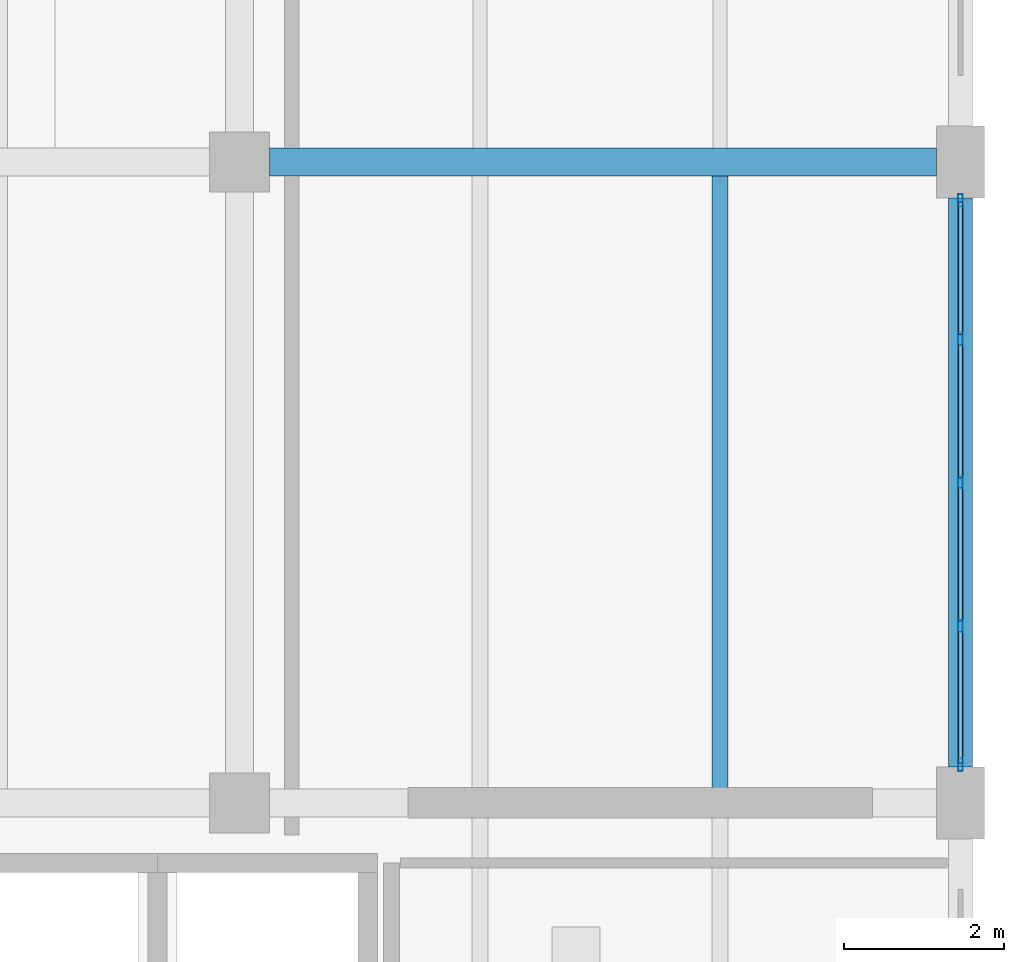
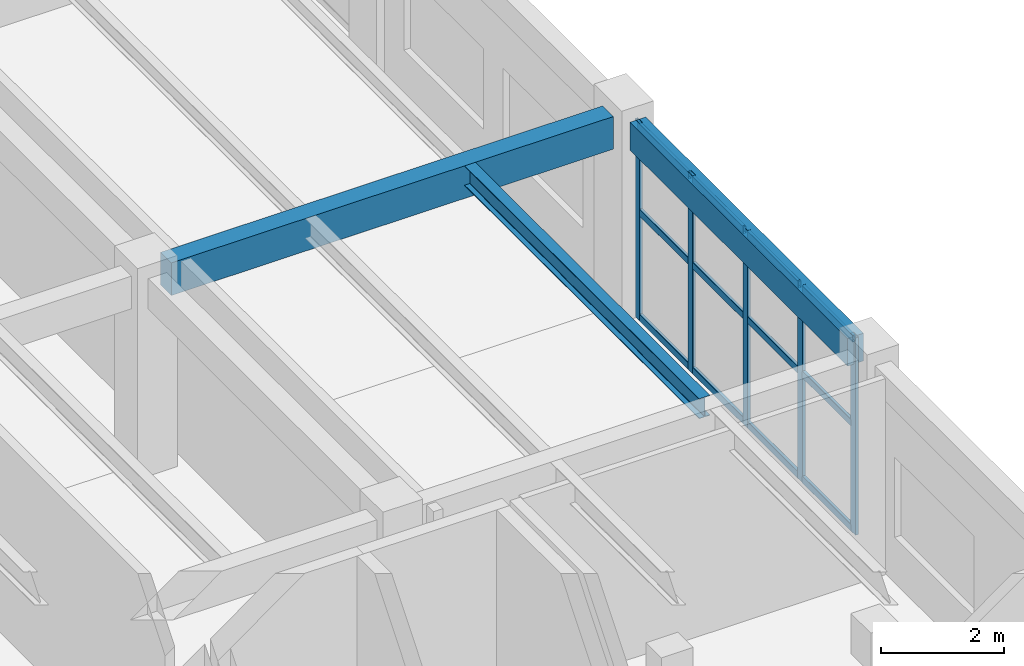
# One storey, part 89 of 128: 17 members, 3 beams, 1 element without a shape of its own.
"""IFC4 building model written with IfcOpenShell, lengths in metres."""

from ifc_helpers import new_model, si_unit, derived_unit, direction, frame, origin, origin_2d, place, context, subcontext, project, spatial, rectangle, hollow_rectangle, i_section, extrude, material, material_profile, profile_set, type_object, element, aggregate, save


model = new_model("IFC4")

# Units and contexts
model_context = context("Model", 3, precision=1e-05, world=origin(), true_north=direction((0.0, 1.0)))
body_context = subcontext(model_context, "Body", "Model", "MODEL_VIEW")
ifc_project = project(units=[si_unit("LENGTHUNIT", "METRE"), si_unit("AREAUNIT", "SQUARE_METRE"), si_unit("VOLUMEUNIT", "CUBIC_METRE"), si_unit("PLANEANGLEUNIT", "RADIAN"), si_unit("MASSUNIT", "GRAM", prefix="KILO"), derived_unit("THERMALTRANSMITTANCEUNIT", [(si_unit("MASSUNIT", "GRAM", prefix="KILO"), 1), (si_unit("TIMEUNIT", "SECOND"), -3), (si_unit("THERMODYNAMICTEMPERATUREUNIT", "KELVIN"), -1)])], contexts=[model_context])

# Site, building, storey
site_placement = place(None, origin())
site = spatial("IfcSite", under=ifc_project, at=site_placement, CompositionType="ELEMENT")
building_placement = place(site_placement, origin())
building = spatial("IfcBuilding", under=site, at=building_placement, Name="Zhenchuan Archway Interchange", CompositionType="ELEMENT")
storey_placement = place(building_placement, frame((0.0, 0.0, 14.39990234375)))
storey = spatial("IfcBuildingStorey", under=building, at=storey_placement, Name="L03", CompositionType="ELEMENT", Elevation=14.39990234375)

# Beam
ifc_material_1 = material(Name="Concrete C40", Category="concrete")
ifc_material_profile_1 = material_profile(ifc_material_1, rectangle(XDim=0.35009765625, YDim=0.64990234375, at=origin_2d()), Name="RC 350x650")
ifc_profile_set_1 = profile_set([ifc_material_profile_1], Name="Concrete C40")
beam_type_1 = type_object("IfcBeamType", Name="BM_RC_350x650", PredefinedType="BEAM", material=ifc_profile_set_1)
beam_1_placement = place(storey_placement, frame((162.375, 72.0, 3.60498046875), z_axis=(1.0, 0.0, 0.0), x_axis=(0.0, 1.0, 0.0)))
element("IfcBeam", 1, at=beam_1_placement, inside=storey, type_object=beam_type_1, Name="Beam K:19-20 (L03)", PredefinedType="BEAM", context=body_context, shape_type="SweptSolid", body=[
    extrude(rectangle(XDim=0.35009765625, YDim=0.64990234375, at=origin_2d()), origin(), (0.0, 0.0, 1.0), 8.324951171875),
])

# Curtain wall, members
ifc_material_2 = material(Name="Anodised Aluminium", Category="aluminium")
curtain_wall_type = type_object("IfcCurtainWallType", Name="CW_UNIT_1", PredefinedType="NOTDEFINED", material=ifc_material_2)
curtain_wall_placement = place(storey_placement, origin())
curtain_wall = element("IfcCurtainWall", 2, at=curtain_wall_placement, inside=storey, type_object=curtain_wall_type, Name="Unitised curtain wall CW:L03:180", PredefinedType="NOTDEFINED")
ifc_material_profile_2 = material_profile(ifc_material_2, hollow_rectangle(XDim=0.06005859375, YDim=0.159912109375, WallThickness=0.00390625, InnerFilletRadius=0.00390625, OuterFilletRadius=0.008056640625, at=origin_2d()), Name="ALU 160x60x4")
ifc_profile_set_2 = profile_set([ifc_material_profile_2], Name="Anodised Aluminium")
member_type_1 = type_object("IfcMemberType", Name="CW_MUL_150", PredefinedType="MULLION", material=ifc_profile_set_2)
member_1_placement = place(storey_placement, frame((171.0, 71.52197265625, 0.0), z_axis=(0.0, 0.0, 1.0), x_axis=(1.0, 0.0, 0.0)))
member_1 = element("IfcMember", 3, at=member_1_placement, type_object=member_type_1, Name="CW:L03:180 mullion 0", PredefinedType="MULLION", context=body_context, shape_type="SweptSolid", body=[
    extrude(hollow_rectangle(XDim=0.06005859375, YDim=0.159912109375, WallThickness=0.00390625, InnerFilletRadius=0.00390625, OuterFilletRadius=0.008056640625, at=origin_2d()), origin(), (0.0, 0.0, 1.0), 3.93017578125),
])
member_2_placement = place(storey_placement, frame((171.0, 69.791015625, 0.0), z_axis=(0.0, 0.0, 1.0), x_axis=(1.0, 0.0, 0.0)))
member_2 = element("IfcMember", 4, at=member_2_placement, type_object=member_type_1, Name="CW:L03:180 mullion 1", PredefinedType="MULLION", context=body_context, shape_type="SweptSolid", body=[
    extrude(hollow_rectangle(XDim=0.06005859375, YDim=0.159912109375, WallThickness=0.00390625, InnerFilletRadius=0.00390625, OuterFilletRadius=0.008056640625, at=origin_2d()), origin(), (0.0, 0.0, 1.0), 3.93017578125),
])
member_3_placement = place(storey_placement, frame((171.0, 68.0, 0.0), z_axis=(0.0, 0.0, 1.0), x_axis=(1.0, 0.0, 0.0)))
member_3 = element("IfcMember", 5, at=member_3_placement, type_object=member_type_1, Name="CW:L03:180 mullion 2", PredefinedType="MULLION", context=body_context, shape_type="SweptSolid", body=[
    extrude(hollow_rectangle(XDim=0.06005859375, YDim=0.159912109375, WallThickness=0.00390625, InnerFilletRadius=0.00390625, OuterFilletRadius=0.008056640625, at=origin_2d()), origin(), (0.0, 0.0, 1.0), 3.93017578125),
])
member_4_placement = place(storey_placement, frame((171.0, 66.208984375, 0.0), z_axis=(0.0, 0.0, 1.0), x_axis=(1.0, 0.0, 0.0)))
member_4 = element("IfcMember", 6, at=member_4_placement, type_object=member_type_1, Name="CW:L03:180 mullion 3", PredefinedType="MULLION", context=body_context, shape_type="SweptSolid", body=[
    extrude(hollow_rectangle(XDim=0.06005859375, YDim=0.159912109375, WallThickness=0.00390625, InnerFilletRadius=0.00390625, OuterFilletRadius=0.008056640625, at=origin_2d()), origin(), (0.0, 0.0, 1.0), 3.93017578125),
])
member_5_placement = place(storey_placement, frame((171.0, 64.47802734375, 0.0), z_axis=(0.0, 0.0, 1.0), x_axis=(1.0, 0.0, 0.0)))
member_5 = element("IfcMember", 7, at=member_5_placement, type_object=member_type_1, Name="CW:L03:180 mullion 4", PredefinedType="MULLION", context=body_context, shape_type="SweptSolid", body=[
    extrude(hollow_rectangle(XDim=0.06005859375, YDim=0.159912109375, WallThickness=0.00390625, InnerFilletRadius=0.00390625, OuterFilletRadius=0.008056640625, at=origin_2d()), origin(), (0.0, 0.0, 1.0), 3.93017578125),
])
ifc_material_profile_3 = material_profile(ifc_material_2, hollow_rectangle(XDim=0.06005859375, YDim=0.139892578125, WallThickness=0.00341796875, InnerFilletRadius=0.00341796875, OuterFilletRadius=0.007080078125, at=origin_2d()), Name="ALU 140x60x3.5")
ifc_profile_set_3 = profile_set([ifc_material_profile_3], Name="Anodised Aluminium")
member_type_2 = type_object("IfcMemberType", Name="CW_TRN_140", PredefinedType="USERDEFINED", material=ifc_profile_set_3)
member_6_placement = place(storey_placement, frame((171.0, 71.501953125, 0.06005859375), z_axis=(0.0, -1.0, 0.0), x_axis=(1.0, 0.0, 0.0)))
member_6 = element("IfcMember", 8, at=member_6_placement, type_object=member_type_2, Name="CW:L03:180 transom 0-1", ObjectType="TRANSOM", PredefinedType="USERDEFINED", context=body_context, shape_type="SweptSolid", body=[
    extrude(hollow_rectangle(XDim=0.06005859375, YDim=0.139892578125, WallThickness=0.00341796875, InnerFilletRadius=0.00341796875, OuterFilletRadius=0.007080078125, at=origin_2d()), origin(), (0.0, 0.0, 1.0), 1.65087890625),
])
member_7_placement = place(storey_placement, frame((171.0, 71.501953125, 2.150634765625), z_axis=(0.0, -1.0, 0.0), x_axis=(1.0, 0.0, 0.0)))
member_7 = element("IfcMember", 9, at=member_7_placement, type_object=member_type_2, Name="CW:L03:180 transom 0-2", ObjectType="TRANSOM", PredefinedType="USERDEFINED", context=body_context, shape_type="SweptSolid", body=[
    extrude(hollow_rectangle(XDim=0.06005859375, YDim=0.139892578125, WallThickness=0.00341796875, InnerFilletRadius=0.00341796875, OuterFilletRadius=0.007080078125, at=origin_2d()), origin(), (0.0, 0.0, 1.0), 1.65087890625),
])
member_8_placement = place(storey_placement, frame((171.0, 71.501953125, 3.85009765625), z_axis=(0.0, -1.0, 0.0), x_axis=(1.0, 0.0, 0.0)))
member_8 = element("IfcMember", 10, at=member_8_placement, type_object=member_type_2, Name="CW:L03:180 transom 0-3", ObjectType="TRANSOM", PredefinedType="USERDEFINED", context=body_context, shape_type="SweptSolid", body=[
    extrude(hollow_rectangle(XDim=0.06005859375, YDim=0.139892578125, WallThickness=0.00341796875, InnerFilletRadius=0.00341796875, OuterFilletRadius=0.007080078125, at=origin_2d()), origin(), (0.0, 0.0, 1.0), 1.65087890625),
])
member_9_placement = place(storey_placement, frame((171.0, 69.73095703125, 0.06005859375), z_axis=(0.0, -1.0, 0.0), x_axis=(1.0, 0.0, 0.0)))
member_9 = element("IfcMember", 11, at=member_9_placement, type_object=member_type_2, Name="CW:L03:180 transom 1-1", ObjectType="TRANSOM", PredefinedType="USERDEFINED", context=body_context, shape_type="SweptSolid", body=[
    extrude(hollow_rectangle(XDim=0.06005859375, YDim=0.139892578125, WallThickness=0.00341796875, InnerFilletRadius=0.00341796875, OuterFilletRadius=0.007080078125, at=origin_2d()), origin(), (0.0, 0.0, 1.0), 1.6708984375),
])
member_10_placement = place(storey_placement, frame((171.0, 69.73095703125, 2.150634765625), z_axis=(0.0, -1.0, 0.0), x_axis=(1.0, 0.0, 0.0)))
member_10 = element("IfcMember", 12, at=member_10_placement, type_object=member_type_2, Name="CW:L03:180 transom 1-2", ObjectType="TRANSOM", PredefinedType="USERDEFINED", context=body_context, shape_type="SweptSolid", body=[
    extrude(hollow_rectangle(XDim=0.06005859375, YDim=0.139892578125, WallThickness=0.00341796875, InnerFilletRadius=0.00341796875, OuterFilletRadius=0.007080078125, at=origin_2d()), origin(), (0.0, 0.0, 1.0), 1.6708984375),
])
member_11_placement = place(storey_placement, frame((171.0, 69.73095703125, 3.85009765625), z_axis=(0.0, -1.0, 0.0), x_axis=(1.0, 0.0, 0.0)))
member_11 = element("IfcMember", 13, at=member_11_placement, type_object=member_type_2, Name="CW:L03:180 transom 1-3", ObjectType="TRANSOM", PredefinedType="USERDEFINED", context=body_context, shape_type="SweptSolid", body=[
    extrude(hollow_rectangle(XDim=0.06005859375, YDim=0.139892578125, WallThickness=0.00341796875, InnerFilletRadius=0.00341796875, OuterFilletRadius=0.007080078125, at=origin_2d()), origin(), (0.0, 0.0, 1.0), 1.6708984375),
])
member_12_placement = place(storey_placement, frame((171.0, 67.93994140625, 0.06005859375), z_axis=(0.0, -1.0, 0.0), x_axis=(1.0, 0.0, 0.0)))
member_12 = element("IfcMember", 14, at=member_12_placement, type_object=member_type_2, Name="CW:L03:180 transom 2-1", ObjectType="TRANSOM", PredefinedType="USERDEFINED", context=body_context, shape_type="SweptSolid", body=[
    extrude(hollow_rectangle(XDim=0.06005859375, YDim=0.139892578125, WallThickness=0.00341796875, InnerFilletRadius=0.00341796875, OuterFilletRadius=0.007080078125, at=origin_2d()), origin(), (0.0, 0.0, 1.0), 1.6708984375),
])
member_13_placement = place(storey_placement, frame((171.0, 67.93994140625, 2.150634765625), z_axis=(0.0, -1.0, 0.0), x_axis=(1.0, 0.0, 0.0)))
member_13 = element("IfcMember", 15, at=member_13_placement, type_object=member_type_2, Name="CW:L03:180 transom 2-2", ObjectType="TRANSOM", PredefinedType="USERDEFINED", context=body_context, shape_type="SweptSolid", body=[
    extrude(hollow_rectangle(XDim=0.06005859375, YDim=0.139892578125, WallThickness=0.00341796875, InnerFilletRadius=0.00341796875, OuterFilletRadius=0.007080078125, at=origin_2d()), origin(), (0.0, 0.0, 1.0), 1.6708984375),
])
member_14_placement = place(storey_placement, frame((171.0, 67.93994140625, 3.85009765625), z_axis=(0.0, -1.0, 0.0), x_axis=(1.0, 0.0, 0.0)))
member_14 = element("IfcMember", 16, at=member_14_placement, type_object=member_type_2, Name="CW:L03:180 transom 2-3", ObjectType="TRANSOM", PredefinedType="USERDEFINED", context=body_context, shape_type="SweptSolid", body=[
    extrude(hollow_rectangle(XDim=0.06005859375, YDim=0.139892578125, WallThickness=0.00341796875, InnerFilletRadius=0.00341796875, OuterFilletRadius=0.007080078125, at=origin_2d()), origin(), (0.0, 0.0, 1.0), 1.6708984375),
])
member_15_placement = place(storey_placement, frame((171.0, 66.14892578125, 0.06005859375), z_axis=(0.0, -1.0, 0.0), x_axis=(1.0, 0.0, 0.0)))
member_15 = element("IfcMember", 17, at=member_15_placement, type_object=member_type_2, Name="CW:L03:180 transom 3-1", ObjectType="TRANSOM", PredefinedType="USERDEFINED", context=body_context, shape_type="SweptSolid", body=[
    extrude(hollow_rectangle(XDim=0.06005859375, YDim=0.139892578125, WallThickness=0.00341796875, InnerFilletRadius=0.00341796875, OuterFilletRadius=0.007080078125, at=origin_2d()), origin(), (0.0, 0.0, 1.0), 1.65087890625),
])
member_16_placement = place(storey_placement, frame((171.0, 66.14892578125, 2.150634765625), z_axis=(0.0, -1.0, 0.0), x_axis=(1.0, 0.0, 0.0)))
member_16 = element("IfcMember", 18, at=member_16_placement, type_object=member_type_2, Name="CW:L03:180 transom 3-2", ObjectType="TRANSOM", PredefinedType="USERDEFINED", context=body_context, shape_type="SweptSolid", body=[
    extrude(hollow_rectangle(XDim=0.06005859375, YDim=0.139892578125, WallThickness=0.00341796875, InnerFilletRadius=0.00341796875, OuterFilletRadius=0.007080078125, at=origin_2d()), origin(), (0.0, 0.0, 1.0), 1.65087890625),
])
member_17_placement = place(storey_placement, frame((171.0, 66.14892578125, 3.85009765625), z_axis=(0.0, -1.0, 0.0), x_axis=(1.0, 0.0, 0.0)))
member_17 = element("IfcMember", 19, at=member_17_placement, type_object=member_type_2, Name="CW:L03:180 transom 3-3", ObjectType="TRANSOM", PredefinedType="USERDEFINED", context=body_context, shape_type="SweptSolid", body=[
    extrude(hollow_rectangle(XDim=0.06005859375, YDim=0.139892578125, WallThickness=0.00341796875, InnerFilletRadius=0.00341796875, OuterFilletRadius=0.007080078125, at=origin_2d()), origin(), (0.0, 0.0, 1.0), 1.65087890625),
])
aggregate(curtain_wall, [member_1, member_2, member_3, member_4, member_5, member_6, member_7, member_8, member_9, member_10, member_11, member_12, member_13, member_14, member_15, member_16, member_17])

# Beams
ifc_material_3 = material(Name="Steel Q355", Category="steel")
ifc_material_profile_4 = material_profile(ifc_material_3, i_section(OverallWidth=0.199951171875, OverallDepth=0.39990234375, WebThickness=0.008056640625, FlangeThickness=0.012939453125, FilletRadius=0.01611328125, at=origin_2d()), Name="HN 400x200")
ifc_profile_set_4 = profile_set([ifc_material_profile_4], Name="Steel Q355")
beam_type_2 = type_object("IfcBeamType", Name="JST_STL_HN400", PredefinedType="JOIST", material=ifc_profile_set_4)
beam_2_placement = place(storey_placement, frame((168.0, 64.175048828125, 3.72998046875), z_axis=(0.0, 1.0, 0.0), x_axis=(-1.0, 0.0, 0.0)))
element("IfcBeam", 20, at=beam_2_placement, inside=storey, type_object=beam_type_2, Name="Secondary joist 19-20/J-K #2 (L03)", PredefinedType="JOIST", context=body_context, shape_type="SweptSolid", body=[
    extrude(i_section(OverallWidth=0.199951171875, OverallDepth=0.39990234375, WebThickness=0.008056640625, FlangeThickness=0.012939453125, FilletRadius=0.01611328125, at=origin_2d()), origin(), (0.0, 0.0, 1.0), 7.64990234375),
])
ifc_material_profile_5 = material_profile(ifc_material_1, rectangle(XDim=0.300048828125, YDim=0.550048828125, at=origin_2d()), Name="RC 300x550")
ifc_profile_set_5 = profile_set([ifc_material_profile_5], Name="Concrete C40")
beam_type_3 = type_object("IfcBeamType", Name="SP_RC_300x550", PredefinedType="SPANDREL", material=ifc_profile_set_5)
beam_3_placement = place(storey_placement, frame((171.0, 64.449951171875, 3.655029296875), z_axis=(0.0, 1.0, 0.0), x_axis=(-1.0, 0.0, 0.0)))
element("IfcBeam", 21, at=beam_3_placement, inside=storey, type_object=beam_type_3, Name="Beam 20:J-K (L03)", PredefinedType="SPANDREL", context=body_context, shape_type="SweptSolid", body=[
    extrude(rectangle(XDim=0.300048828125, YDim=0.550048828125, at=origin_2d()), origin(), (0.0, 0.0, 1.0), 7.10009765625),
])

save(model, "model.ifc")
